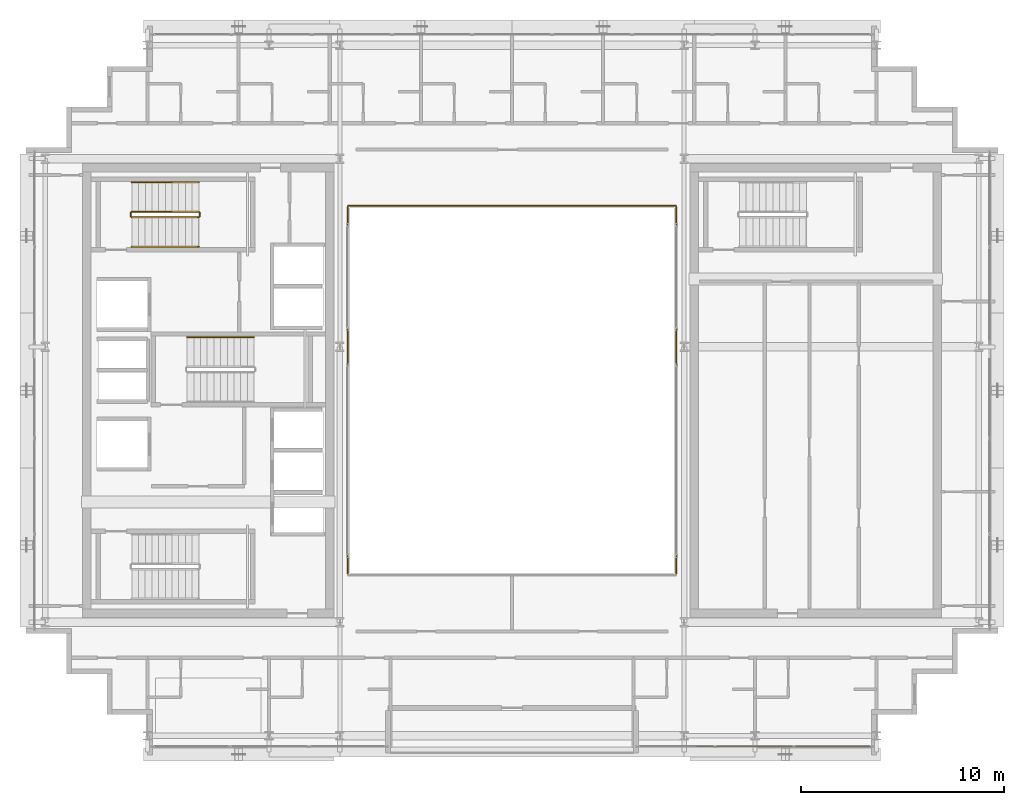
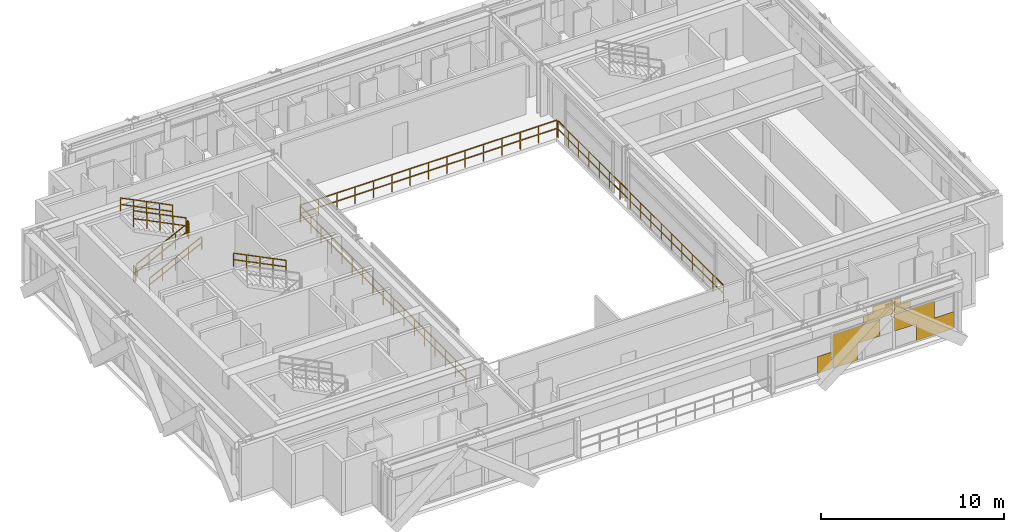
# One storey, part 27 of 29: 10 railings, 1 covering.
"""IFC4 building model written with IfcOpenShell, lengths in metres."""

from ifc_helpers import new_model, si_unit, direction, frame, origin, origin_2d, place, context, subcontext, project, spatial, rectangle, extrude, material, layer, layer_set, type_object, element, save


model = new_model("IFC4")

# Units and contexts
model_context = context("Model", 3, precision=1e-05, world=origin(), true_north=direction((0.0, 1.0)))
body_context = subcontext(model_context, "Body", "Model", "MODEL_VIEW")
ifc_project = project(units=[si_unit("LENGTHUNIT", "METRE"), si_unit("AREAUNIT", "SQUARE_METRE"), si_unit("VOLUMEUNIT", "CUBIC_METRE"), si_unit("PLANEANGLEUNIT", "RADIAN"), si_unit("MASSUNIT", "GRAM", prefix="KILO")], contexts=[model_context])

# Site, building, storey
site_placement = place(None, origin())
site = spatial("IfcSite", under=ifc_project, at=site_placement, CompositionType="ELEMENT")
building_placement = place(site_placement, origin())
building = spatial("IfcBuilding", under=site, at=building_placement, Name="Ocotamira Hotel", CompositionType="ELEMENT")
storey_placement = place(building_placement, frame((0.0, 0.0, 236.39990234375)))
storey = spatial("IfcBuildingStorey", under=building, at=storey_placement, Name="L59", CompositionType="ELEMENT", Elevation=236.39990234375)

# Covering
ifc_material_1 = material(Name="Insulated pale-metal aluminium spandrel panel", Category="aluminium")
ifc_layer = layer(ifc_material_1, 0.044921875)
ifc_layer_set = layer_set([ifc_layer], Name="Insulated pale-metal aluminium spandrel panel")
covering_type = type_object("IfcCoveringType", Name="COV-INFILL-45", PredefinedType="CLADDING", material=ifc_layer_set)
covering_placement = place(storey_placement, origin())
element("IfcCovering", 1, at=covering_placement, inside=storey, type_object=covering_type, Name="L59 Curtain Wall Infill CW-5 CW-L59-S2", PredefinedType="CLADDING", context=body_context, shape_type="SweptSolid", body=[
    extrude(rectangle(XDim=0.871337890625, YDim=0.044921875, at=origin_2d()), frame((41.55712890625, 8.419921875, 0.07568359375), z_axis=(0.0, 0.0, 1.0), x_axis=(1.0, 0.0, 0.0)), (0.0, 0.0, 1.0), 1.117919921875),
    extrude(rectangle(XDim=1.565673828125, YDim=0.044921875, at=origin_2d()), frame((42.856689453125, 8.419921875, 0.07568359375), z_axis=(0.0, 0.0, 1.0), x_axis=(1.0, 0.0, 0.0)), (0.0, 0.0, 1.0), 1.117919921875),
    extrude(rectangle(XDim=2.964111328125, YDim=0.044921875, at=origin_2d()), frame((43.555908203125, 8.419921875, 1.1943359375), z_axis=(0.0, 0.0, 1.0), x_axis=(1.0, 0.0, 0.0)), (0.0, 0.0, 1.0), 1.117919921875),
    extrude(rectangle(XDim=3.80224609375, YDim=0.044921875, at=origin_2d()), frame((43.97509765625, 8.419921875, 2.841552734375), z_axis=(0.0, 0.0, 1.0), x_axis=(1.0, 0.0, 0.0)), (0.0, 0.0, 1.0), 0.0302734375),
    extrude(rectangle(XDim=1.864013671875, YDim=0.044921875, at=origin_2d()), frame((44.944091796875, 8.419921875, 2.38818359375), z_axis=(0.0, 0.0, 1.0), x_axis=(1.0, 0.0, 0.0)), (0.0, 0.0, 1.0), 0.45263671875),
    extrude(rectangle(XDim=1.258056640625, YDim=0.044921875, at=origin_2d()), frame((45.2470703125, 8.419921875, 2.873046875), z_axis=(0.0, 0.0, 1.0), x_axis=(1.0, 0.0, 0.0)), (0.0, 0.0, 1.0), 0.431640625),
    extrude(rectangle(XDim=2.52294921875, YDim=0.044921875, at=origin_2d()), frame((47.218505859375, 8.419921875, 1.1943359375), z_axis=(0.0, 0.0, 1.0), x_axis=(1.0, 0.0, 0.0)), (0.0, 0.0, 1.0), 1.117919921875),
    extrude(rectangle(XDim=2.35888671875, YDim=0.044921875, at=origin_2d()), frame((48.5400390625, 8.419921875, 0.07568359375), z_axis=(0.0, 0.0, 1.0), x_axis=(1.0, 0.0, 0.0)), (0.0, 0.0, 1.0), 1.117919921875),
    extrude(rectangle(XDim=1.03076171875, YDim=0.044921875, at=origin_2d()), frame((46.472412109375, 8.419921875, 2.38818359375), z_axis=(0.0, 0.0, 1.0), x_axis=(1.0, 0.0, 0.0)), (0.0, 0.0, 1.0), 0.45263671875),
    extrude(rectangle(XDim=3.76220703125, YDim=0.044921875, at=origin_2d()), frame((47.83837890625, 8.419921875, 2.841552734375), z_axis=(0.0, 0.0, 1.0), x_axis=(1.0, 0.0, 0.0)), (0.0, 0.0, 1.0), 0.0302734375),
    extrude(rectangle(XDim=0.4248046875, YDim=0.044921875, at=origin_2d()), frame((46.16943359375, 8.419921875, 2.873046875), z_axis=(0.0, 0.0, 1.0), x_axis=(1.0, 0.0, 0.0)), (0.0, 0.0, 1.0), 0.431640625),
])

# Railings
ifc_material_2 = material(Name="Painted steel stair guardrail", Category="steel")
railing_type_1 = type_object("IfcRailingType", Name="RL-EDGE-1150", PredefinedType="GUARDRAIL", material=ifc_material_2)
railing_1_placement = place(storey_placement, frame((40.1201171875, 16.9599609375, 0.0)))
element("IfcRailing", 2, at=railing_1_placement, inside=storey, type_object=railing_type_1, Name="L59 Central Atrium Edge Guardrail E", PredefinedType="GUARDRAIL", context=body_context, shape_type="SweptSolid", body=[
    extrude(rectangle(XDim=0.048095703125, YDim=0.048095703125, at=origin_2d()), frame((0.0, 0.0, 1.1259765625), z_axis=(0.0, 1.0, 0.0), x_axis=(-1.0, 0.0, 0.0)), (0.0, 0.0, 1.0), 18.080078125),
    extrude(rectangle(XDim=0.048095703125, YDim=0.048095703125, at=origin_2d()), frame((0.0, 0.0, 0.574951171875), z_axis=(0.0, 1.0, 0.0), x_axis=(-1.0, 0.0, 0.0)), (0.0, 0.0, 1.0), 18.080078125),
    extrude(rectangle(XDim=0.0419921875, YDim=0.0419921875, at=origin_2d()), origin(), (0.0, 0.0, 1.0), 1.101806640625),
    extrude(rectangle(XDim=0.0419921875, YDim=0.0419921875, at=origin_2d()), frame((0.0, 1.1298828125, 0.0)), (0.0, 0.0, 1.0), 1.101806640625),
    extrude(rectangle(XDim=0.0419921875, YDim=0.0419921875, at=origin_2d()), frame((0.0, 2.260009765625, 0.0)), (0.0, 0.0, 1.0), 1.101806640625),
    extrude(rectangle(XDim=0.0419921875, YDim=0.0419921875, at=origin_2d()), frame((0.0, 3.39013671875, 0.0)), (0.0, 0.0, 1.0), 1.101806640625),
    extrude(rectangle(XDim=0.0419921875, YDim=0.0419921875, at=origin_2d()), frame((0.0, 4.52001953125, 0.0)), (0.0, 0.0, 1.0), 1.101806640625),
    extrude(rectangle(XDim=0.0419921875, YDim=0.0419921875, at=origin_2d()), frame((0.0, 5.64990234375, 0.0)), (0.0, 0.0, 1.0), 1.101806640625),
    extrude(rectangle(XDim=0.0419921875, YDim=0.0419921875, at=origin_2d()), frame((0.0, 6.780029296875, 0.0)), (0.0, 0.0, 1.0), 1.101806640625),
    extrude(rectangle(XDim=0.0419921875, YDim=0.0419921875, at=origin_2d()), frame((0.0, 7.91015625, 0.0)), (0.0, 0.0, 1.0), 1.101806640625),
    extrude(rectangle(XDim=0.0419921875, YDim=0.0419921875, at=origin_2d()), frame((0.0, 9.0400390625, 0.0)), (0.0, 0.0, 1.0), 1.101806640625),
    extrude(rectangle(XDim=0.0419921875, YDim=0.0419921875, at=origin_2d()), frame((0.0, 10.169921875, 0.0)), (0.0, 0.0, 1.0), 1.101806640625),
    extrude(rectangle(XDim=0.0419921875, YDim=0.0419921875, at=origin_2d()), frame((0.0, 11.300048828125, 0.0)), (0.0, 0.0, 1.0), 1.101806640625),
    extrude(rectangle(XDim=0.0419921875, YDim=0.0419921875, at=origin_2d()), frame((0.0, 12.43017578125, 0.0)), (0.0, 0.0, 1.0), 1.101806640625),
    extrude(rectangle(XDim=0.0419921875, YDim=0.0419921875, at=origin_2d()), frame((0.0, 13.56005859375, 0.0)), (0.0, 0.0, 1.0), 1.101806640625),
    extrude(rectangle(XDim=0.0419921875, YDim=0.0419921875, at=origin_2d()), frame((0.0, 14.68994140625, 0.0)), (0.0, 0.0, 1.0), 1.101806640625),
    extrude(rectangle(XDim=0.0419921875, YDim=0.0419921875, at=origin_2d()), frame((0.0, 15.820068359375, 0.0)), (0.0, 0.0, 1.0), 1.101806640625),
    extrude(rectangle(XDim=0.0419921875, YDim=0.0419921875, at=origin_2d()), frame((0.0, 16.9501953125, 0.0)), (0.0, 0.0, 1.0), 1.101806640625),
    extrude(rectangle(XDim=0.0419921875, YDim=0.0419921875, at=origin_2d()), frame((0.0, 18.080078125, 0.0)), (0.0, 0.0, 1.0), 1.101806640625),
])
railing_2_placement = place(storey_placement, frame((40.10009765625, 35.1201171875, 0.0)))
element("IfcRailing", 3, at=railing_2_placement, inside=storey, type_object=railing_type_1, Name="L59 Central Atrium Edge Guardrail N", PredefinedType="GUARDRAIL", context=body_context, shape_type="SweptSolid", body=[
    extrude(rectangle(XDim=0.048095703125, YDim=0.048095703125, at=origin_2d()), frame((0.0, 0.0, 1.1259765625), z_axis=(-1.0, 0.0, 0.0), x_axis=(0.0, -1.0, 0.0)), (0.0, 0.0, 1.0), 16.2001953125),
    extrude(rectangle(XDim=0.048095703125, YDim=0.048095703125, at=origin_2d()), frame((0.0, 0.0, 0.574951171875), z_axis=(-1.0, 0.0, 0.0), x_axis=(0.0, -1.0, 0.0)), (0.0, 0.0, 1.0), 16.2001953125),
    extrude(rectangle(XDim=0.0419921875, YDim=0.0419921875, at=origin_2d()), origin(), (0.0, 0.0, 1.0), 1.101806640625),
    extrude(rectangle(XDim=0.0419921875, YDim=0.0419921875, at=origin_2d()), frame((-1.1572265625, 0.0, 0.0)), (0.0, 0.0, 1.0), 1.101806640625),
    extrude(rectangle(XDim=0.0419921875, YDim=0.0419921875, at=origin_2d()), frame((-2.314208984375, 0.0, 0.0)), (0.0, 0.0, 1.0), 1.101806640625),
    extrude(rectangle(XDim=0.0419921875, YDim=0.0419921875, at=origin_2d()), frame((-3.471435546875, 0.0, 0.0)), (0.0, 0.0, 1.0), 1.101806640625),
    extrude(rectangle(XDim=0.0419921875, YDim=0.0419921875, at=origin_2d()), frame((-4.628662109375, 0.0, 0.0)), (0.0, 0.0, 1.0), 1.101806640625),
    extrude(rectangle(XDim=0.0419921875, YDim=0.0419921875, at=origin_2d()), frame((-5.785888671875, 0.0, 0.0)), (0.0, 0.0, 1.0), 1.101806640625),
    extrude(rectangle(XDim=0.0419921875, YDim=0.0419921875, at=origin_2d()), frame((-6.94287109375, 0.0, 0.0)), (0.0, 0.0, 1.0), 1.101806640625),
    extrude(rectangle(XDim=0.0419921875, YDim=0.0419921875, at=origin_2d()), frame((-8.10009765625, 0.0, 0.0)), (0.0, 0.0, 1.0), 1.101806640625),
    extrude(rectangle(XDim=0.0419921875, YDim=0.0419921875, at=origin_2d()), frame((-9.25732421875, 0.0, 0.0)), (0.0, 0.0, 1.0), 1.101806640625),
    extrude(rectangle(XDim=0.0419921875, YDim=0.0419921875, at=origin_2d()), frame((-10.414306640625, 0.0, 0.0)), (0.0, 0.0, 1.0), 1.101806640625),
    extrude(rectangle(XDim=0.0419921875, YDim=0.0419921875, at=origin_2d()), frame((-11.571533203125, 0.0, 0.0)), (0.0, 0.0, 1.0), 1.101806640625),
    extrude(rectangle(XDim=0.0419921875, YDim=0.0419921875, at=origin_2d()), frame((-12.728759765625, 0.0, 0.0)), (0.0, 0.0, 1.0), 1.101806640625),
    extrude(rectangle(XDim=0.0419921875, YDim=0.0419921875, at=origin_2d()), frame((-13.885986328125, 0.0, 0.0)), (0.0, 0.0, 1.0), 1.101806640625),
    extrude(rectangle(XDim=0.0419921875, YDim=0.0419921875, at=origin_2d()), frame((-15.04296875, 0.0, 0.0)), (0.0, 0.0, 1.0), 1.101806640625),
    extrude(rectangle(XDim=0.0419921875, YDim=0.0419921875, at=origin_2d()), frame((-16.2001953125, 0.0, 0.0)), (0.0, 0.0, 1.0), 1.101806640625),
])
railing_3_placement = place(storey_placement, frame((23.8798828125, 35.0400390625, 0.0)))
element("IfcRailing", 4, at=railing_3_placement, inside=storey, type_object=railing_type_1, Name="L59 Central Atrium Edge Guardrail W", PredefinedType="GUARDRAIL", context=body_context, shape_type="SweptSolid", body=[
    extrude(rectangle(XDim=0.048095703125, YDim=0.048095703125, at=origin_2d()), frame((0.0, 0.0, 1.1259765625), z_axis=(0.0, -1.0, 0.0), x_axis=(1.0, 0.0, 0.0)), (0.0, 0.0, 1.0), 18.080078125),
    extrude(rectangle(XDim=0.048095703125, YDim=0.048095703125, at=origin_2d()), frame((0.0, 0.0, 0.574951171875), z_axis=(0.0, -1.0, 0.0), x_axis=(1.0, 0.0, 0.0)), (0.0, 0.0, 1.0), 18.080078125),
    extrude(rectangle(XDim=0.0419921875, YDim=0.0419921875, at=origin_2d()), origin(), (0.0, 0.0, 1.0), 1.101806640625),
    extrude(rectangle(XDim=0.0419921875, YDim=0.0419921875, at=origin_2d()), frame((0.0, -1.1298828125, 0.0)), (0.0, 0.0, 1.0), 1.101806640625),
    extrude(rectangle(XDim=0.0419921875, YDim=0.0419921875, at=origin_2d()), frame((0.0, -2.260009765625, 0.0)), (0.0, 0.0, 1.0), 1.101806640625),
    extrude(rectangle(XDim=0.0419921875, YDim=0.0419921875, at=origin_2d()), frame((0.0, -3.39013671875, 0.0)), (0.0, 0.0, 1.0), 1.101806640625),
    extrude(rectangle(XDim=0.0419921875, YDim=0.0419921875, at=origin_2d()), frame((0.0, -4.52001953125, 0.0)), (0.0, 0.0, 1.0), 1.101806640625),
    extrude(rectangle(XDim=0.0419921875, YDim=0.0419921875, at=origin_2d()), frame((0.0, -5.64990234375, 0.0)), (0.0, 0.0, 1.0), 1.101806640625),
    extrude(rectangle(XDim=0.0419921875, YDim=0.0419921875, at=origin_2d()), frame((0.0, -6.780029296875, 0.0)), (0.0, 0.0, 1.0), 1.101806640625),
    extrude(rectangle(XDim=0.0419921875, YDim=0.0419921875, at=origin_2d()), frame((0.0, -7.91015625, 0.0)), (0.0, 0.0, 1.0), 1.101806640625),
    extrude(rectangle(XDim=0.0419921875, YDim=0.0419921875, at=origin_2d()), frame((0.0, -9.0400390625, 0.0)), (0.0, 0.0, 1.0), 1.101806640625),
    extrude(rectangle(XDim=0.0419921875, YDim=0.0419921875, at=origin_2d()), frame((0.0, -10.169921875, 0.0)), (0.0, 0.0, 1.0), 1.101806640625),
    extrude(rectangle(XDim=0.0419921875, YDim=0.0419921875, at=origin_2d()), frame((0.0, -11.300048828125, 0.0)), (0.0, 0.0, 1.0), 1.101806640625),
    extrude(rectangle(XDim=0.0419921875, YDim=0.0419921875, at=origin_2d()), frame((0.0, -12.43017578125, 0.0)), (0.0, 0.0, 1.0), 1.101806640625),
    extrude(rectangle(XDim=0.0419921875, YDim=0.0419921875, at=origin_2d()), frame((0.0, -13.56005859375, 0.0)), (0.0, 0.0, 1.0), 1.101806640625),
    extrude(rectangle(XDim=0.0419921875, YDim=0.0419921875, at=origin_2d()), frame((0.0, -14.68994140625, 0.0)), (0.0, 0.0, 1.0), 1.101806640625),
    extrude(rectangle(XDim=0.0419921875, YDim=0.0419921875, at=origin_2d()), frame((0.0, -15.820068359375, 0.0)), (0.0, 0.0, 1.0), 1.101806640625),
    extrude(rectangle(XDim=0.0419921875, YDim=0.0419921875, at=origin_2d()), frame((0.0, -16.9501953125, 0.0)), (0.0, 0.0, 1.0), 1.101806640625),
    extrude(rectangle(XDim=0.0419921875, YDim=0.0419921875, at=origin_2d()), frame((0.0, -18.080078125, 0.0)), (0.0, 0.0, 1.0), 1.101806640625),
])
ifc_material_3 = material(Name="Brushed stainless steel handrail", Category="steel")
railing_type_2 = type_object("IfcRailingType", Name="RL-HAND-900", PredefinedType="HANDRAIL", material=ifc_material_3)
railing_4_placement = place(storey_placement, frame((13.22998046875, 33.10009765625, 0.327392578125)))
element("IfcRailing", 5, at=railing_4_placement, inside=storey, type_object=railing_type_2, Name="L59 ST-2 stair handrail 1", PredefinedType="HANDRAIL", context=body_context, shape_type="SweptSolid", body=[
    extrude(rectangle(XDim=0.048095703125, YDim=0.048095703125, at=origin_2d()), frame((0.0, 0.0, 0.8759765625), z_axis=(0.895920123917, 0.0, 0.444215186098), x_axis=(0.0, 1.0, 0.0)), (0.0, 0.0, 1.0), 3.683349609375),
    extrude(rectangle(XDim=0.048095703125, YDim=0.048095703125, at=origin_2d()), frame((0.0, 0.0, 0.449951171875), z_axis=(0.895920123917, 0.0, 0.444215186098), x_axis=(0.0, 1.0, 0.0)), (0.0, 0.0, 1.0), 3.683349609375),
    extrude(rectangle(XDim=0.0419921875, YDim=0.0419921875, at=origin_2d()), origin(), (0.0, 0.0, 1.0), 0.851806640625),
    extrude(rectangle(XDim=0.0419921875, YDim=0.0419921875, at=origin_2d()), frame((0.824951171875, 0.0, 0.4091796875)), (0.0, 0.0, 1.0), 0.851806640625),
    extrude(rectangle(XDim=0.0419921875, YDim=0.0419921875, at=origin_2d()), frame((1.64990234375, 0.0, 0.818115234375)), (0.0, 0.0, 1.0), 0.851806640625),
    extrude(rectangle(XDim=0.0419921875, YDim=0.0419921875, at=origin_2d()), frame((2.47509765625, 0.0, 1.22705078125)), (0.0, 0.0, 1.0), 0.851806640625),
    extrude(rectangle(XDim=0.0419921875, YDim=0.0419921875, at=origin_2d()), frame((3.300048828125, 0.0, 1.63623046875)), (0.0, 0.0, 1.0), 0.851806640625),
])
for number, where, name in (
    (6, (16.530029296875, 36.280029296875, 2.12744140625), "L59 ST-2 stair handrail 2"),
    (7, (19.260009765625, 28.6298828125, 2.12744140625), "L59 ST-3 stair handrail 2"),
):
    element("IfcRailing", number, at=place(storey_placement, frame(where)), inside=storey, type_object=railing_type_2, Name=name, PredefinedType="HANDRAIL", context=body_context, shape_type="SweptSolid", body=[
        extrude(rectangle(XDim=0.048095703125, YDim=0.048095703125, at=origin_2d()), frame((0.0, 0.0, 0.8759765625), z_axis=(-0.895920123917, 0.0, 0.444215186098), x_axis=(0.0, -1.0, 0.0)), (0.0, 0.0, 1.0), 3.683349609375),
        extrude(rectangle(XDim=0.048095703125, YDim=0.048095703125, at=origin_2d()), frame((0.0, 0.0, 0.449951171875), z_axis=(-0.895920123917, 0.0, 0.444215186098), x_axis=(0.0, -1.0, 0.0)), (0.0, 0.0, 1.0), 3.683349609375),
        extrude(rectangle(XDim=0.0419921875, YDim=0.0419921875, at=origin_2d()), origin(), (0.0, 0.0, 1.0), 0.851806640625),
        extrude(rectangle(XDim=0.0419921875, YDim=0.0419921875, at=origin_2d()), frame((-0.824951171875, 0.0, 0.4091796875)), (0.0, 0.0, 1.0), 0.851806640625),
        extrude(rectangle(XDim=0.0419921875, YDim=0.0419921875, at=origin_2d()), frame((-1.64990234375, 0.0, 0.818115234375)), (0.0, 0.0, 1.0), 0.851806640625),
        extrude(rectangle(XDim=0.0419921875, YDim=0.0419921875, at=origin_2d()), frame((-2.47509765625, 0.0, 1.22705078125)), (0.0, 0.0, 1.0), 0.851806640625),
        extrude(rectangle(XDim=0.0419921875, YDim=0.0419921875, at=origin_2d()), frame((-3.300048828125, 0.0, 1.63623046875)), (0.0, 0.0, 1.0), 0.851806640625),
    ])
railing_type_3 = type_object("IfcRailingType", Name="RL-STAIR-1100", PredefinedType="GUARDRAIL", material=ifc_material_2)
railing_5_placement = place(storey_placement, frame((13.22998046875, 34.56005859375, 0.163818359375)))
element("IfcRailing", 8, at=railing_5_placement, inside=storey, type_object=railing_type_3, Name="L59 ST-2 stair guard 1", PredefinedType="GUARDRAIL", context=body_context, shape_type="SweptSolid", body=[
    extrude(rectangle(XDim=0.048095703125, YDim=0.048095703125, at=origin_2d()), frame((0.0, 0.0, 1.076171875), z_axis=(0.895920123917, 0.0, 0.444215186098), x_axis=(0.0, 1.0, 0.0)), (0.0, 0.0, 1.0), 3.683349609375),
    extrude(rectangle(XDim=0.048095703125, YDim=0.048095703125, at=origin_2d()), frame((0.0, 0.0, 0.550048828125), z_axis=(0.895920123917, 0.0, 0.444215186098), x_axis=(0.0, 1.0, 0.0)), (0.0, 0.0, 1.0), 3.683349609375),
    extrude(rectangle(XDim=0.0419921875, YDim=0.0419921875, at=origin_2d()), origin(), (0.0, 0.0, 1.0), 1.052001953125),
    extrude(rectangle(XDim=0.0419921875, YDim=0.0419921875, at=origin_2d()), frame((0.824951171875, 0.0, 0.4091796875)), (0.0, 0.0, 1.0), 1.052001953125),
    extrude(rectangle(XDim=0.0419921875, YDim=0.0419921875, at=origin_2d()), frame((1.64990234375, 0.0, 0.818115234375)), (0.0, 0.0, 1.0), 1.052001953125),
    extrude(rectangle(XDim=0.0419921875, YDim=0.0419921875, at=origin_2d()), frame((2.47509765625, 0.0, 1.22705078125)), (0.0, 0.0, 1.0), 1.052001953125),
    extrude(rectangle(XDim=0.0419921875, YDim=0.0419921875, at=origin_2d()), frame((3.300048828125, 0.0, 1.63623046875)), (0.0, 0.0, 1.0), 1.052001953125),
])
railing_6_placement = place(storey_placement, frame((16.580078125, 34.610107421875, 1.800048828125)))
element("IfcRailing", 9, at=railing_6_placement, inside=storey, type_object=railing_type_3, Name="L59 ST-2 stair guard 2", PredefinedType="GUARDRAIL", context=body_context, shape_type="SweptSolid", body=[
    extrude(rectangle(XDim=0.048095703125, YDim=0.048095703125, at=origin_2d()), frame((0.0, 0.0, 1.076171875), z_axis=(0.0, 1.0, 0.0), x_axis=(-1.0, 0.0, 0.0)), (0.0, 0.0, 1.0), 0.159912109375),
    extrude(rectangle(XDim=0.048095703125, YDim=0.048095703125, at=origin_2d()), frame((0.0, 0.0, 0.550048828125), z_axis=(0.0, 1.0, 0.0), x_axis=(-1.0, 0.0, 0.0)), (0.0, 0.0, 1.0), 0.159912109375),
    extrude(rectangle(XDim=0.0419921875, YDim=0.0419921875, at=origin_2d()), origin(), (0.0, 0.0, 1.0), 1.052001953125),
    extrude(rectangle(XDim=0.0419921875, YDim=0.0419921875, at=origin_2d()), frame((0.0, 0.159912109375, 0.0)), (0.0, 0.0, 1.0), 1.052001953125),
])
railing_7_placement = place(storey_placement, frame((16.530029296875, 34.820068359375, 1.963623046875)))
element("IfcRailing", 10, at=railing_7_placement, inside=storey, type_object=railing_type_3, Name="L59 ST-2 stair guard 3", PredefinedType="GUARDRAIL", context=body_context, shape_type="SweptSolid", body=[
    extrude(rectangle(XDim=0.048095703125, YDim=0.048095703125, at=origin_2d()), frame((0.0, 0.0, 1.076171875), z_axis=(-0.895893744519, 0.0, 0.4442683857), x_axis=(0.0, -1.0, 0.0)), (0.0, 0.0, 1.0), 3.68359375),
    extrude(rectangle(XDim=0.048095703125, YDim=0.048095703125, at=origin_2d()), frame((0.0, 0.0, 0.550048828125), z_axis=(-0.895893744519, 0.0, 0.4442683857), x_axis=(0.0, -1.0, 0.0)), (0.0, 0.0, 1.0), 3.68359375),
    extrude(rectangle(XDim=0.0419921875, YDim=0.0419921875, at=origin_2d()), origin(), (0.0, 0.0, 1.0), 1.052001953125),
    extrude(rectangle(XDim=0.0419921875, YDim=0.0419921875, at=origin_2d()), frame((-0.824951171875, 0.0, 0.4091796875)), (0.0, 0.0, 1.0), 1.052001953125),
    extrude(rectangle(XDim=0.0419921875, YDim=0.0419921875, at=origin_2d()), frame((-1.64990234375, 0.0, 0.818359375)), (0.0, 0.0, 1.0), 1.052001953125),
    extrude(rectangle(XDim=0.0419921875, YDim=0.0419921875, at=origin_2d()), frame((-2.47509765625, 0.0, 1.227294921875)), (0.0, 0.0, 1.0), 1.052001953125),
    extrude(rectangle(XDim=0.0419921875, YDim=0.0419921875, at=origin_2d()), frame((-3.300048828125, 0.0, 1.636474609375)), (0.0, 0.0, 1.0), 1.052001953125),
])
railing_8_placement = place(storey_placement, frame((13.179931640625, 34.610107421875, 0.0)))
element("IfcRailing", 11, at=railing_8_placement, inside=storey, type_object=railing_type_3, Name="L59 ST-2 stair guard 4", PredefinedType="GUARDRAIL", context=body_context, shape_type="SweptSolid", body=[
    extrude(rectangle(XDim=0.048095703125, YDim=0.048095703125, at=origin_2d()), frame((0.0, 0.0, 1.076171875), z_axis=(0.0, 1.0, 0.0), x_axis=(-1.0, 0.0, 0.0)), (0.0, 0.0, 1.0), 0.159912109375),
    extrude(rectangle(XDim=0.048095703125, YDim=0.048095703125, at=origin_2d()), frame((0.0, 0.0, 0.550048828125), z_axis=(0.0, 1.0, 0.0), x_axis=(-1.0, 0.0, 0.0)), (0.0, 0.0, 1.0), 0.159912109375),
    extrude(rectangle(XDim=0.0419921875, YDim=0.0419921875, at=origin_2d()), origin(), (0.0, 0.0, 1.0), 1.052001953125),
    extrude(rectangle(XDim=0.0419921875, YDim=0.0419921875, at=origin_2d()), frame((0.0, 0.159912109375, 0.0)), (0.0, 0.0, 1.0), 1.052001953125),
])

save(model, "model.ifc")
